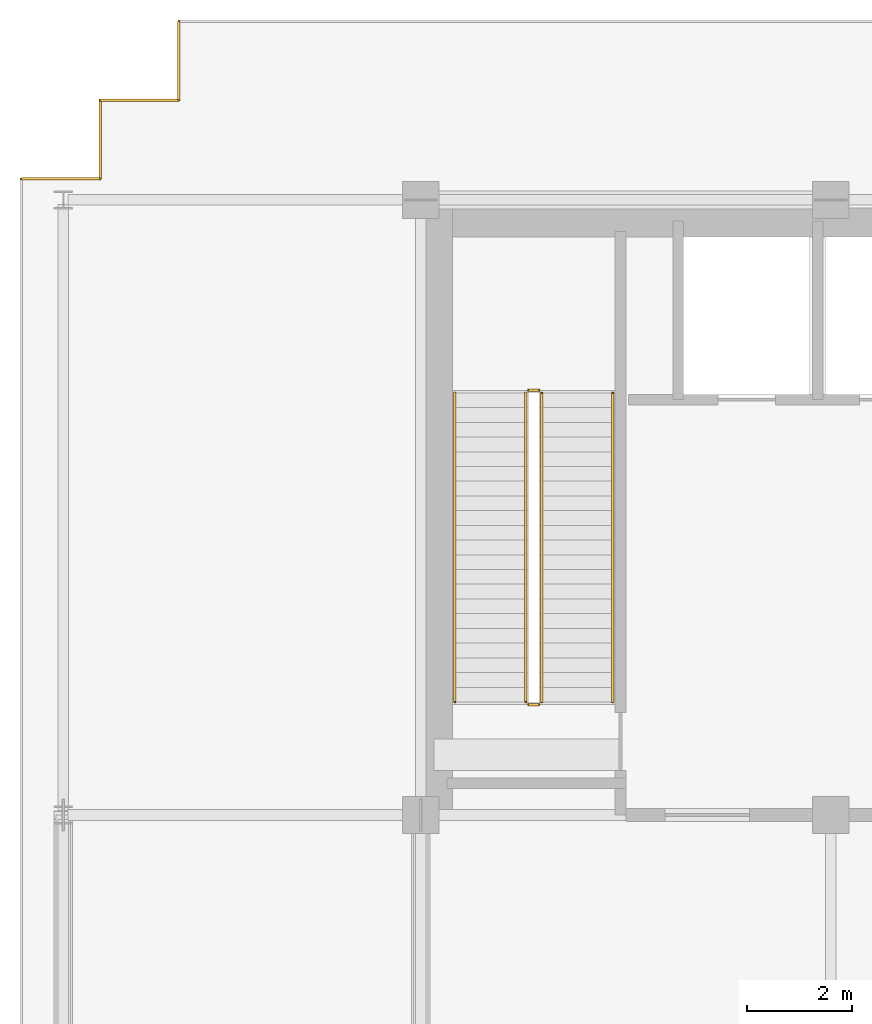
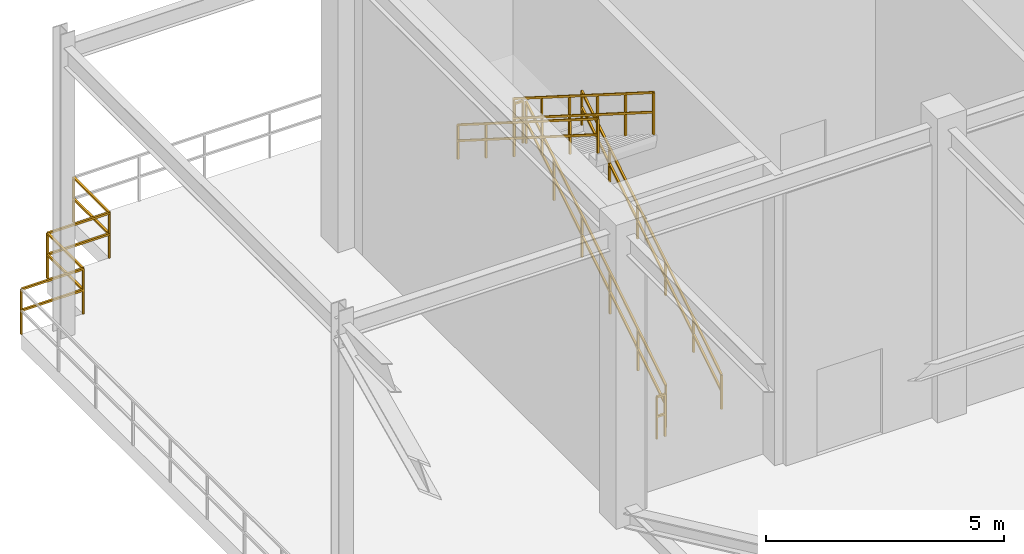
# One storey, part 13 of 15: 10 railings.
"""IFC4 building model written with IfcOpenShell, lengths in metres."""

from ifc_helpers import new_model, si_unit, direction, frame, origin, origin_2d, place, context, subcontext, project, spatial, rectangle, extrude, material, type_object, element, save


model = new_model("IFC4")

# Units and contexts
model_context = context("Model", 3, precision=1e-05, world=origin(), true_north=direction((0.0, 1.0)))
body_context = subcontext(model_context, "Body", "Model", "MODEL_VIEW")
ifc_project = project(units=[si_unit("LENGTHUNIT", "METRE"), si_unit("AREAUNIT", "SQUARE_METRE"), si_unit("VOLUMEUNIT", "CUBIC_METRE"), si_unit("PLANEANGLEUNIT", "RADIAN"), si_unit("MASSUNIT", "GRAM", prefix="KILO")], contexts=[model_context])

# Site, building, storey
site_placement = place(None, origin())
site = spatial("IfcSite", under=ifc_project, at=site_placement, CompositionType="ELEMENT")
building_placement = place(site_placement, origin())
building = spatial("IfcBuilding", under=site, at=building_placement, Name="Trelvane Seafront Commons", CompositionType="ELEMENT")
storey_placement = place(building_placement, frame((0.0, 0.0, 240.89990234375)))
storey = spatial("IfcBuildingStorey", under=building, at=storey_placement, Name="L63", CompositionType="ELEMENT", Elevation=240.89990234375)

# Railings
ifc_material = material(Name="Stainless steel balustrade", Category="steel")
railing_type_1 = type_object("IfcRailingType", Name="ARCH-RAIL-BAL1150", PredefinedType="BALUSTRADE", material=ifc_material)
railing_1_placement = place(storey_placement, frame((11.0, 48.5, 0.0)))
element("IfcRailing", 1, at=railing_1_placement, inside=storey, type_object=railing_type_1, Name="RL-L63-PERIM-12", PredefinedType="BALUSTRADE", context=body_context, shape_type="SweptSolid", body=[
    extrude(rectangle(XDim=0.048095703125, YDim=0.048095703125, at=origin_2d()), frame((0.0, 0.0, 1.15576171875), z_axis=(0.0, -1.0, 0.0), x_axis=(1.0, 0.0, 0.0)), (0.0, 0.0, 1.0), 1.5),
    extrude(rectangle(XDim=0.048095703125, YDim=0.048095703125, at=origin_2d()), frame((0.0, 0.0, 0.613525390625), z_axis=(0.0, -1.0, 0.0), x_axis=(1.0, 0.0, 0.0)), (0.0, 0.0, 1.0), 1.5),
    extrude(rectangle(XDim=0.0419921875, YDim=0.0419921875, at=origin_2d()), origin(), (0.0, 0.0, 1.0), 1.15576171875),
    extrude(rectangle(XDim=0.0419921875, YDim=0.0419921875, at=origin_2d()), frame((0.0, -1.5, 0.0)), (0.0, 0.0, 1.0), 1.15576171875),
])
railing_2_placement = place(storey_placement, frame((11.0, 47.0, 0.0)))
element("IfcRailing", 2, at=railing_2_placement, inside=storey, type_object=railing_type_1, Name="RL-L63-PERIM-13", PredefinedType="BALUSTRADE", context=body_context, shape_type="SweptSolid", body=[
    extrude(rectangle(XDim=0.048095703125, YDim=0.048095703125, at=origin_2d()), frame((0.0, 0.0, 1.15576171875), z_axis=(-1.0, 0.0, 0.0), x_axis=(0.0, -1.0, 0.0)), (0.0, 0.0, 1.0), 1.5),
    extrude(rectangle(XDim=0.048095703125, YDim=0.048095703125, at=origin_2d()), frame((0.0, 0.0, 0.613525390625), z_axis=(-1.0, 0.0, 0.0), x_axis=(0.0, -1.0, 0.0)), (0.0, 0.0, 1.0), 1.5),
    extrude(rectangle(XDim=0.0419921875, YDim=0.0419921875, at=origin_2d()), origin(), (0.0, 0.0, 1.0), 1.15576171875),
    extrude(rectangle(XDim=0.0419921875, YDim=0.0419921875, at=origin_2d()), frame((-1.5, 0.0, 0.0)), (0.0, 0.0, 1.0), 1.15576171875),
])
railing_3_placement = place(storey_placement, frame((9.5, 47.0, 0.0)))
element("IfcRailing", 3, at=railing_3_placement, inside=storey, type_object=railing_type_1, Name="RL-L63-PERIM-14", PredefinedType="BALUSTRADE", context=body_context, shape_type="SweptSolid", body=[
    extrude(rectangle(XDim=0.048095703125, YDim=0.048095703125, at=origin_2d()), frame((0.0, 0.0, 1.15576171875), z_axis=(0.0, -1.0, 0.0), x_axis=(1.0, 0.0, 0.0)), (0.0, 0.0, 1.0), 1.5),
    extrude(rectangle(XDim=0.048095703125, YDim=0.048095703125, at=origin_2d()), frame((0.0, 0.0, 0.613525390625), z_axis=(0.0, -1.0, 0.0), x_axis=(1.0, 0.0, 0.0)), (0.0, 0.0, 1.0), 1.5),
    extrude(rectangle(XDim=0.0419921875, YDim=0.0419921875, at=origin_2d()), origin(), (0.0, 0.0, 1.0), 1.15576171875),
    extrude(rectangle(XDim=0.0419921875, YDim=0.0419921875, at=origin_2d()), frame((0.0, -1.5, 0.0)), (0.0, 0.0, 1.0), 1.15576171875),
])
railing_4_placement = place(storey_placement, frame((9.5, 45.5, 0.0)))
element("IfcRailing", 4, at=railing_4_placement, inside=storey, type_object=railing_type_1, Name="RL-L63-PERIM-15", PredefinedType="BALUSTRADE", context=body_context, shape_type="SweptSolid", body=[
    extrude(rectangle(XDim=0.048095703125, YDim=0.048095703125, at=origin_2d()), frame((0.0, 0.0, 1.15576171875), z_axis=(-1.0, 0.0, 0.0), x_axis=(0.0, -1.0, 0.0)), (0.0, 0.0, 1.0), 1.5),
    extrude(rectangle(XDim=0.048095703125, YDim=0.048095703125, at=origin_2d()), frame((0.0, 0.0, 0.613525390625), z_axis=(-1.0, 0.0, 0.0), x_axis=(0.0, -1.0, 0.0)), (0.0, 0.0, 1.0), 1.5),
    extrude(rectangle(XDim=0.0419921875, YDim=0.0419921875, at=origin_2d()), origin(), (0.0, 0.0, 1.0), 1.15576171875),
    extrude(rectangle(XDim=0.0419921875, YDim=0.0419921875, at=origin_2d()), frame((-1.5, 0.0, 0.0)), (0.0, 0.0, 1.0), 1.15576171875),
])
railing_type_2 = type_object("IfcRailingType", Name="ARCH-SRL-GUARD", PredefinedType="GUARDRAIL", material=ifc_material)
railing_5_placement = place(storey_placement, frame((17.89990234375, 35.550048828125, 0.177490234375)))
element("IfcRailing", 5, at=railing_5_placement, inside=storey, type_object=railing_type_2, Name="L63 ST-1 stair guard 1", PredefinedType="GUARDRAIL", context=body_context, shape_type="SweptSolid", body=[
    extrude(rectangle(XDim=0.048095703125, YDim=0.048095703125, at=origin_2d()), frame((0.0, 0.0, 1.076171875), z_axis=(0.0, 0.844901525001, 0.534921875652), x_axis=(-1.0, 0.0, 0.0)), (0.0, 0.0, 1.0), 6.959228515625),
    extrude(rectangle(XDim=0.048095703125, YDim=0.048095703125, at=origin_2d()), frame((0.0, 0.0, 0.572021484375), z_axis=(0.0, 0.844901525001, 0.534921875652), x_axis=(-1.0, 0.0, 0.0)), (0.0, 0.0, 1.0), 6.959228515625),
    extrude(rectangle(XDim=0.0419921875, YDim=0.0419921875, at=origin_2d()), origin(), (0.0, 0.0, 1.0), 1.076171875),
    extrude(rectangle(XDim=0.0419921875, YDim=0.0419921875, at=origin_2d()), frame((0.0, 1.176025390625, 0.74462890625)), (0.0, 0.0, 1.0), 1.076171875),
    extrude(rectangle(XDim=0.0419921875, YDim=0.0419921875, at=origin_2d()), frame((0.0, 2.35205078125, 1.489013671875)), (0.0, 0.0, 1.0), 1.076171875),
    extrude(rectangle(XDim=0.0419921875, YDim=0.0419921875, at=origin_2d()), frame((0.0, 3.52783203125, 2.233642578125)), (0.0, 0.0, 1.0), 1.076171875),
    extrude(rectangle(XDim=0.0419921875, YDim=0.0419921875, at=origin_2d()), frame((0.0, 4.703857421875, 2.97802734375)), (0.0, 0.0, 1.0), 1.076171875),
    extrude(rectangle(XDim=0.0419921875, YDim=0.0419921875, at=origin_2d()), frame((0.0, 5.8798828125, 3.72265625)), (0.0, 0.0, 1.0), 1.076171875),
])
railing_6_placement = place(storey_placement, frame((17.85009765625, 41.47998046875, 3.900146484375)))
element("IfcRailing", 6, at=railing_6_placement, inside=storey, type_object=railing_type_2, Name="L63 ST-1 stair guard 2", PredefinedType="GUARDRAIL", context=body_context, shape_type="SweptSolid", body=[
    extrude(rectangle(XDim=0.048095703125, YDim=0.048095703125, at=origin_2d()), frame((0.0, 0.0, 1.076171875), z_axis=(-1.0, 0.0, 0.0), x_axis=(0.0, -1.0, 0.0)), (0.0, 0.0, 1.0), 0.2001953125),
    extrude(rectangle(XDim=0.048095703125, YDim=0.048095703125, at=origin_2d()), frame((0.0, 0.0, 0.572021484375), z_axis=(-1.0, 0.0, 0.0), x_axis=(0.0, -1.0, 0.0)), (0.0, 0.0, 1.0), 0.2001953125),
    extrude(rectangle(XDim=0.0419921875, YDim=0.0419921875, at=origin_2d()), origin(), (0.0, 0.0, 1.0), 1.076171875),
    extrude(rectangle(XDim=0.0419921875, YDim=0.0419921875, at=origin_2d()), frame((-0.2001953125, 0.0, 0.0)), (0.0, 0.0, 1.0), 1.076171875),
])
railing_7_placement = place(storey_placement, frame((17.60009765625, 41.429931640625, 4.077392578125)))
element("IfcRailing", 7, at=railing_7_placement, inside=storey, type_object=railing_type_2, Name="L63 ST-1 stair guard 3", PredefinedType="GUARDRAIL", context=body_context, shape_type="SweptSolid", body=[
    extrude(rectangle(XDim=0.048095703125, YDim=0.048095703125, at=origin_2d()), frame((0.0, 0.0, 1.076171875), z_axis=(0.0, -0.844901525001, 0.534921875652), x_axis=(1.0, 0.0, 0.0)), (0.0, 0.0, 1.0), 6.959228515625),
    extrude(rectangle(XDim=0.048095703125, YDim=0.048095703125, at=origin_2d()), frame((0.0, 0.0, 0.572021484375), z_axis=(0.0, -0.844901525001, 0.534921875652), x_axis=(1.0, 0.0, 0.0)), (0.0, 0.0, 1.0), 6.959228515625),
    extrude(rectangle(XDim=0.0419921875, YDim=0.0419921875, at=origin_2d()), origin(), (0.0, 0.0, 1.0), 1.076171875),
    extrude(rectangle(XDim=0.0419921875, YDim=0.0419921875, at=origin_2d()), frame((0.0, -1.176025390625, 0.74462890625)), (0.0, 0.0, 1.0), 1.076171875),
    extrude(rectangle(XDim=0.0419921875, YDim=0.0419921875, at=origin_2d()), frame((0.0, -2.35205078125, 1.489013671875)), (0.0, 0.0, 1.0), 1.076171875),
    extrude(rectangle(XDim=0.0419921875, YDim=0.0419921875, at=origin_2d()), frame((0.0, -3.52783203125, 2.233642578125)), (0.0, 0.0, 1.0), 1.076171875),
    extrude(rectangle(XDim=0.0419921875, YDim=0.0419921875, at=origin_2d()), frame((0.0, -4.703857421875, 2.97802734375)), (0.0, 0.0, 1.0), 1.076171875),
    extrude(rectangle(XDim=0.0419921875, YDim=0.0419921875, at=origin_2d()), frame((0.0, -5.8798828125, 3.72265625)), (0.0, 0.0, 1.0), 1.076171875),
])
railing_8_placement = place(storey_placement, frame((17.85009765625, 35.5, 0.0)))
element("IfcRailing", 8, at=railing_8_placement, inside=storey, type_object=railing_type_2, Name="L63 ST-1 stair guard 4", PredefinedType="GUARDRAIL", context=body_context, shape_type="SweptSolid", body=[
    extrude(rectangle(XDim=0.048095703125, YDim=0.048095703125, at=origin_2d()), frame((0.0, 0.0, 1.076171875), z_axis=(-1.0, 0.0, 0.0), x_axis=(0.0, -1.0, 0.0)), (0.0, 0.0, 1.0), 0.2001953125),
    extrude(rectangle(XDim=0.048095703125, YDim=0.048095703125, at=origin_2d()), frame((0.0, 0.0, 0.572021484375), z_axis=(-1.0, 0.0, 0.0), x_axis=(0.0, -1.0, 0.0)), (0.0, 0.0, 1.0), 0.2001953125),
    extrude(rectangle(XDim=0.0419921875, YDim=0.0419921875, at=origin_2d()), origin(), (0.0, 0.0, 1.0), 1.076171875),
    extrude(rectangle(XDim=0.0419921875, YDim=0.0419921875, at=origin_2d()), frame((-0.2001953125, 0.0, 0.0)), (0.0, 0.0, 1.0), 1.076171875),
])
railing_type_3 = type_object("IfcRailingType", Name="ARCH-SRL-HAND", PredefinedType="HANDRAIL", material=ifc_material)
railing_9_placement = place(storey_placement, frame((19.25, 35.550048828125, 0.177490234375)))
element("IfcRailing", 9, at=railing_9_placement, inside=storey, type_object=railing_type_3, Name="L63 ST-1 stair handrail 1", PredefinedType="HANDRAIL", context=body_context, shape_type="SweptSolid", body=[
    extrude(rectangle(XDim=0.048095703125, YDim=0.048095703125, at=origin_2d()), frame((0.0, 0.0, 0.8759765625), z_axis=(0.0, 0.844901525001, 0.534921875652), x_axis=(-1.0, 0.0, 0.0)), (0.0, 0.0, 1.0), 6.959228515625),
    extrude(rectangle(XDim=0.048095703125, YDim=0.048095703125, at=origin_2d()), frame((0.0, 0.0, 0.468017578125), z_axis=(0.0, 0.844901525001, 0.534921875652), x_axis=(-1.0, 0.0, 0.0)), (0.0, 0.0, 1.0), 6.959228515625),
    extrude(rectangle(XDim=0.0419921875, YDim=0.0419921875, at=origin_2d()), origin(), (0.0, 0.0, 1.0), 0.8759765625),
    extrude(rectangle(XDim=0.0419921875, YDim=0.0419921875, at=origin_2d()), frame((0.0, 1.176025390625, 0.74462890625)), (0.0, 0.0, 1.0), 0.8759765625),
    extrude(rectangle(XDim=0.0419921875, YDim=0.0419921875, at=origin_2d()), frame((0.0, 2.35205078125, 1.489013671875)), (0.0, 0.0, 1.0), 0.8759765625),
    extrude(rectangle(XDim=0.0419921875, YDim=0.0419921875, at=origin_2d()), frame((0.0, 3.52783203125, 2.233642578125)), (0.0, 0.0, 1.0), 0.8759765625),
    extrude(rectangle(XDim=0.0419921875, YDim=0.0419921875, at=origin_2d()), frame((0.0, 4.703857421875, 2.97802734375)), (0.0, 0.0, 1.0), 0.8759765625),
    extrude(rectangle(XDim=0.0419921875, YDim=0.0419921875, at=origin_2d()), frame((0.0, 5.8798828125, 3.72265625)), (0.0, 0.0, 1.0), 0.8759765625),
])
railing_10_placement = place(storey_placement, frame((16.25, 41.429931640625, 4.077392578125)))
element("IfcRailing", 10, at=railing_10_placement, inside=storey, type_object=railing_type_3, Name="L63 ST-1 stair handrail 2", PredefinedType="HANDRAIL", context=body_context, shape_type="SweptSolid", body=[
    extrude(rectangle(XDim=0.048095703125, YDim=0.048095703125, at=origin_2d()), frame((0.0, 0.0, 0.8759765625), z_axis=(0.0, -0.844901525001, 0.534921875652), x_axis=(1.0, 0.0, 0.0)), (0.0, 0.0, 1.0), 6.959228515625),
    extrude(rectangle(XDim=0.048095703125, YDim=0.048095703125, at=origin_2d()), frame((0.0, 0.0, 0.468017578125), z_axis=(0.0, -0.844901525001, 0.534921875652), x_axis=(1.0, 0.0, 0.0)), (0.0, 0.0, 1.0), 6.959228515625),
    extrude(rectangle(XDim=0.0419921875, YDim=0.0419921875, at=origin_2d()), origin(), (0.0, 0.0, 1.0), 0.8759765625),
    extrude(rectangle(XDim=0.0419921875, YDim=0.0419921875, at=origin_2d()), frame((0.0, -1.176025390625, 0.74462890625)), (0.0, 0.0, 1.0), 0.8759765625),
    extrude(rectangle(XDim=0.0419921875, YDim=0.0419921875, at=origin_2d()), frame((0.0, -2.35205078125, 1.489013671875)), (0.0, 0.0, 1.0), 0.8759765625),
    extrude(rectangle(XDim=0.0419921875, YDim=0.0419921875, at=origin_2d()), frame((0.0, -3.52783203125, 2.233642578125)), (0.0, 0.0, 1.0), 0.8759765625),
    extrude(rectangle(XDim=0.0419921875, YDim=0.0419921875, at=origin_2d()), frame((0.0, -4.703857421875, 2.97802734375)), (0.0, 0.0, 1.0), 0.8759765625),
    extrude(rectangle(XDim=0.0419921875, YDim=0.0419921875, at=origin_2d()), frame((0.0, -5.8798828125, 3.72265625)), (0.0, 0.0, 1.0), 0.8759765625),
])

save(model, "model.ifc")
